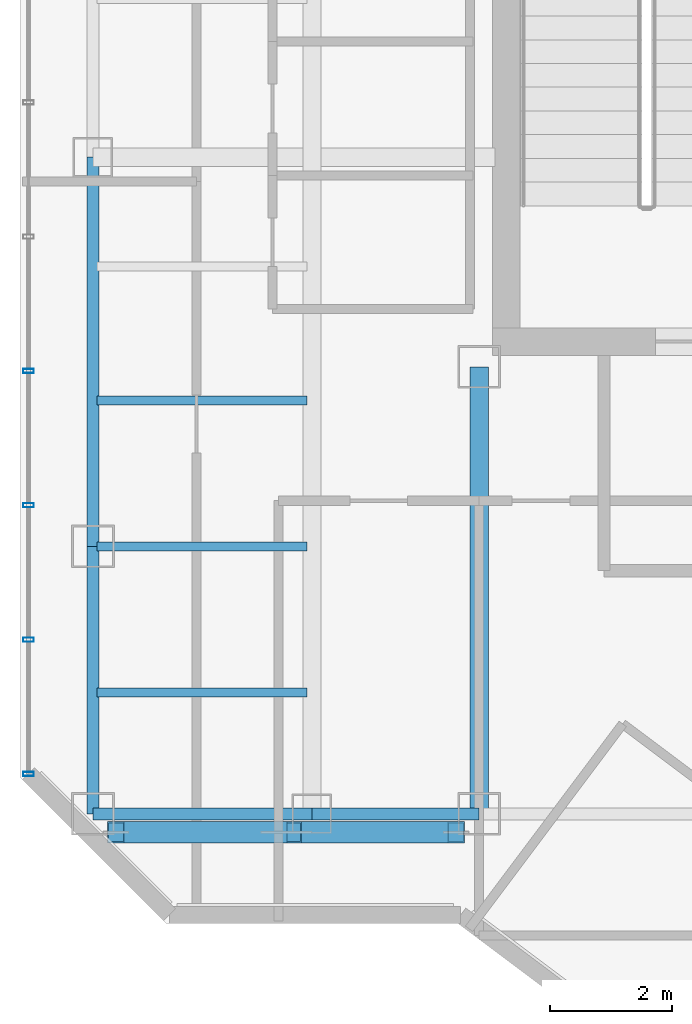
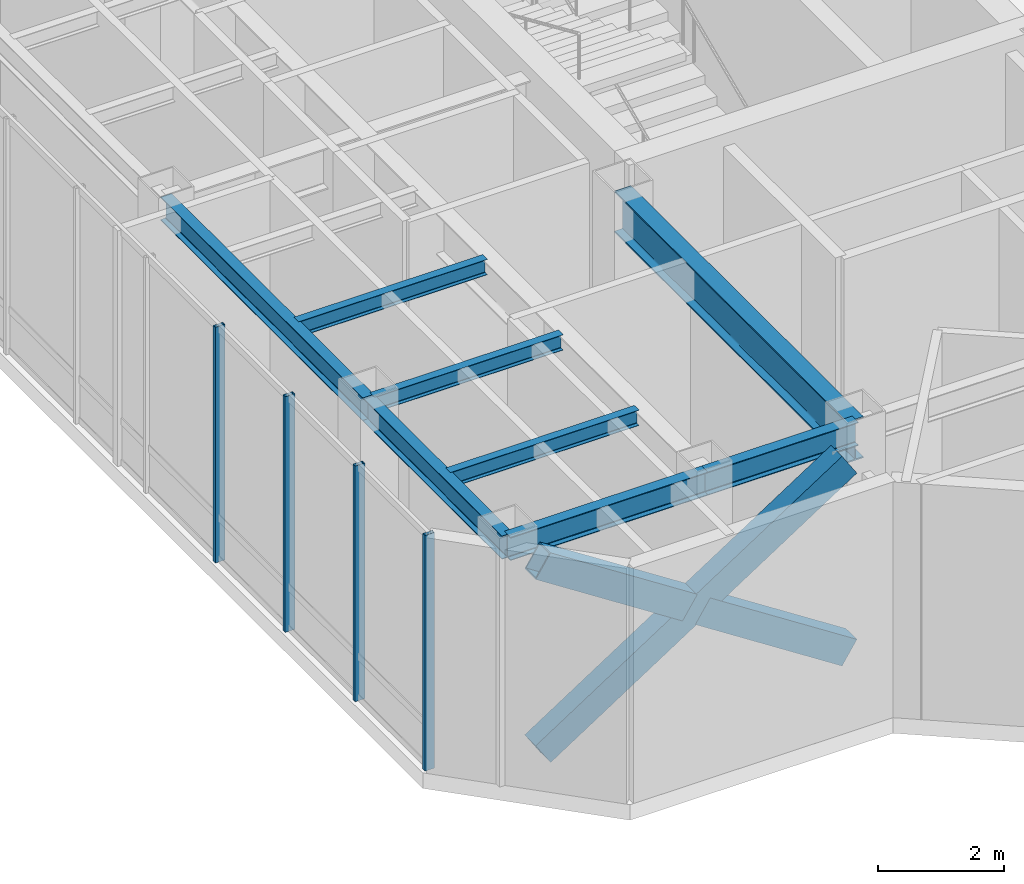
# One storey, part 2 of 21: 8 beams, 7 members, 1 element without a shape of its own.
"""IFC4 building model written with IfcOpenShell, lengths in metres."""

from ifc_helpers import new_model, si_unit, direction, frame, origin, origin_2d, place, context, subcontext, project, spatial, hollow_rectangle, i_section, extrude, material, layer, layer_set, material_profile, profile_set, type_object, element, aggregate, save


model = new_model("IFC4")

# Units and contexts
model_context = context("Model", 3, precision=1e-05, world=origin(), true_north=direction((0.0, 1.0)))
body_context = subcontext(model_context, "Body", "Model", "MODEL_VIEW")
ifc_project = project(units=[si_unit("LENGTHUNIT", "METRE"), si_unit("AREAUNIT", "SQUARE_METRE"), si_unit("VOLUMEUNIT", "CUBIC_METRE"), si_unit("PLANEANGLEUNIT", "RADIAN"), si_unit("MASSUNIT", "GRAM", prefix="KILO")], contexts=[model_context])

# Site, building, storey
site_placement = place(None, origin())
site = spatial("IfcSite", under=ifc_project, at=site_placement, CompositionType="ELEMENT")
building_placement = place(site_placement, origin())
building = spatial("IfcBuilding", under=site, at=building_placement, Name="Hatsunagi Terrace Concourse", CompositionType="ELEMENT")
storey_placement = place(building_placement, frame((0.0, 0.0, 234.75)))
storey = spatial("IfcBuildingStorey", under=building, at=storey_placement, Name="L62", CompositionType="ELEMENT", Elevation=234.75)

# Curtain wall, members
ifc_material_1 = material(Name="Anodised Aluminium Alloy 6063-T5", Category="aluminium")
ifc_layer = layer(ifc_material_1, 0.199951171875)
ifc_layer_set = layer_set([ifc_layer], Name="OfficeZone2_CW04")
curtain_wall_type = type_object("IfcCurtainWallType", Name="OfficeZone2_CW04", PredefinedType="NOTDEFINED", material=ifc_layer_set)
curtain_wall_placement = place(storey_placement, origin())
curtain_wall = element("IfcCurtainWall", 1, at=curtain_wall_placement, inside=storey, type_object=curtain_wall_type, Name="Unitised Curtain Wall CW-04 CW-L62-08", PredefinedType="NOTDEFINED")
ifc_material_2 = material(Name="Anodised Aluminium Alloy 6063-T5", Category="aluminium")
ifc_material_profile_1 = material_profile(ifc_material_2, hollow_rectangle(XDim=0.070068359375, YDim=0.179931640625, WallThickness=0.00390625, at=origin_2d()), Name="ALU-MUL-180x70x4")
ifc_profile_set_1 = profile_set([ifc_material_profile_1], Name="Anodised Aluminium Alloy 6063-T5")
member_type_1 = type_object("IfcMemberType", Name="CurtainWallMullion_180x70", PredefinedType="MULLION", material=ifc_profile_set_1)
member_1_placement = place(storey_placement, frame((18.139892578125, 25.85791015625, 0.0), z_axis=(0.0, 0.0, 1.0), x_axis=(0.0, 1.0, 0.0)))
member_1 = element("IfcMember", 2, at=member_1_placement, type_object=member_type_1, Name="Curtain Wall Mullion MUL-02", PredefinedType="MULLION", context=body_context, shape_type="SweptSolid", body=[
    extrude(hollow_rectangle(XDim=0.070068359375, YDim=0.179931640625, WallThickness=0.00390625, at=origin_2d()), origin(), (0.0, 0.0, 1.0), 4.550048828125),
])
member_2_placement = place(storey_placement, frame((18.139892578125, 28.06591796875, 0.0), z_axis=(0.0, 0.0, 1.0), x_axis=(0.0, 1.0, 0.0)))
member_2 = element("IfcMember", 3, at=member_2_placement, type_object=member_type_1, Name="Curtain Wall Mullion MUL-02", PredefinedType="MULLION", context=body_context, shape_type="SweptSolid", body=[
    extrude(hollow_rectangle(XDim=0.070068359375, YDim=0.179931640625, WallThickness=0.00390625, at=origin_2d()), origin(), (0.0, 0.0, 1.0), 4.550048828125),
])
member_3_placement = place(storey_placement, frame((18.139892578125, 30.27490234375, 0.0), z_axis=(0.0, 0.0, 1.0), x_axis=(0.0, 1.0, 0.0)))
member_3 = element("IfcMember", 4, at=member_3_placement, type_object=member_type_1, Name="Curtain Wall Mullion MUL-02", PredefinedType="MULLION", context=body_context, shape_type="SweptSolid", body=[
    extrude(hollow_rectangle(XDim=0.070068359375, YDim=0.179931640625, WallThickness=0.00390625, at=origin_2d()), origin(), (0.0, 0.0, 1.0), 4.550048828125),
])
member_4_placement = place(storey_placement, frame((18.139892578125, 32.48291015625, 0.0), z_axis=(0.0, 0.0, 1.0), x_axis=(0.0, 1.0, 0.0)))
member_4 = element("IfcMember", 5, at=member_4_placement, type_object=member_type_1, Name="Curtain Wall Mullion MUL-02", PredefinedType="MULLION", context=body_context, shape_type="SweptSolid", body=[
    extrude(hollow_rectangle(XDim=0.070068359375, YDim=0.179931640625, WallThickness=0.00390625, at=origin_2d()), origin(), (0.0, 0.0, 1.0), 4.550048828125),
])
aggregate(curtain_wall, [member_1, member_2, member_3, member_4])

# Beams
ifc_material_3 = material(Name="Steel SN490B", Category="steel")
ifc_material_profile_2 = material_profile(ifc_material_3, i_section(OverallWidth=0.14990234375, OverallDepth=0.300048828125, WebThickness=0.006591796875, FlangeThickness=0.009033203125, FilletRadius=0.010986328125, at=origin_2d()), Name="H-300x150x6.5x9")
ifc_profile_set_2 = profile_set([ifc_material_profile_2], Name="Steel SN490B")
beam_type_1 = type_object("IfcBeamType", Name="OfficeJoist_H_300x150", PredefinedType="JOIST", material=ifc_profile_set_2)
for number, where, z_axis, x_axis, name in (
    (6, (19.264892578125, 27.199951171875, 4.39990234375), (1.0, 0.0, 0.0), (0.0, 1.0, 0.0), "Beam J-03 J-L62-W-19-272"),
    (7, (19.264892578125, 29.60009765625, 4.39990234375), (1.0, 0.0, 0.0), (0.0, 1.0, 0.0), "Beam J-03 J-L62-W-19-296"),
    (8, (19.264892578125, 32.0, 4.39990234375), (1.0, 0.0, 0.0), (0.0, 1.0, 0.0), "Beam J-03 J-L62-W-19-320"),
):
    element("IfcBeam", number, at=place(storey_placement, frame(where, z_axis=z_axis, x_axis=x_axis)), inside=storey, type_object=beam_type_1, Name=name, PredefinedType="JOIST", context=body_context, shape_type="SweptSolid", body=[
        extrude(i_section(OverallWidth=0.14990234375, OverallDepth=0.300048828125, WebThickness=0.006591796875, FlangeThickness=0.009033203125, FilletRadius=0.010986328125, at=origin_2d()), origin(), (0.0, 0.0, 1.0), 3.4501953125),
    ])
ifc_material_4 = material(Name="Steel SN490B", Category="steel")
ifc_material_profile_3 = material_profile(ifc_material_4, i_section(OverallWidth=0.199951171875, OverallDepth=0.449951171875, WebThickness=0.009033203125, FlangeThickness=0.013916015625, FilletRadius=0.01611328125, at=origin_2d()), Name="H-450x200x9x14")
ifc_profile_set_3 = profile_set([ifc_material_profile_3], Name="Steel SN490B")
beam_type_2 = type_object("IfcBeamType", Name="PerimeterSpandrel_H_450x200", PredefinedType="SPANDREL", material=ifc_profile_set_3)
beam_1_placement = place(storey_placement, frame((19.199951171875, 25.199951171875, 4.324951171875), z_axis=(1.0, 0.0, 0.0), x_axis=(0.0, 1.0, 0.0)))
element("IfcBeam", 9, at=beam_1_placement, inside=storey, type_object=beam_type_2, Name="Beam SP-02 BM-L62-WS-19", PredefinedType="SPANDREL", context=body_context, shape_type="SweptSolid", body=[
    extrude(i_section(OverallWidth=0.199951171875, OverallDepth=0.449951171875, WebThickness=0.009033203125, FlangeThickness=0.013916015625, FilletRadius=0.01611328125, at=origin_2d()), origin(), (0.0, 0.0, 1.0), 3.60009765625),
])
beam_2_placement = place(storey_placement, frame((22.800048828125, 25.199951171875, 4.324951171875), z_axis=(1.0, 0.0, 0.0), x_axis=(0.0, 1.0, 0.0)))
element("IfcBeam", 10, at=beam_2_placement, inside=storey, type_object=beam_type_2, Name="Beam SP-02 BM-L62-WS-22", PredefinedType="SPANDREL", context=body_context, shape_type="SweptSolid", body=[
    extrude(i_section(OverallWidth=0.199951171875, OverallDepth=0.449951171875, WebThickness=0.009033203125, FlangeThickness=0.013916015625, FilletRadius=0.01611328125, at=origin_2d()), origin(), (0.0, 0.0, 1.0), 2.75),
])
beam_3_placement = place(storey_placement, frame((19.199951171875, 25.199951171875, 4.324951171875), z_axis=(0.0, 1.0, 0.0), x_axis=(-1.0, 0.0, 0.0)))
element("IfcBeam", 11, at=beam_3_placement, inside=storey, type_object=beam_type_2, Name="Beam SP-02 BM-L62-NS-19-25", PredefinedType="SPANDREL", context=body_context, shape_type="SweptSolid", body=[
    extrude(i_section(OverallWidth=0.199951171875, OverallDepth=0.449951171875, WebThickness=0.009033203125, FlangeThickness=0.013916015625, FilletRadius=0.01611328125, at=origin_2d()), origin(), (0.0, 0.0, 1.0), 4.400146484375),
])
beam_4_placement = place(storey_placement, frame((19.199951171875, 29.60009765625, 4.324951171875), z_axis=(0.0, 1.0, 0.0), x_axis=(-1.0, 0.0, 0.0)))
element("IfcBeam", 12, at=beam_4_placement, inside=storey, type_object=beam_type_2, Name="Beam SP-02 BM-L62-NS-19-29", PredefinedType="SPANDREL", context=body_context, shape_type="SweptSolid", body=[
    extrude(i_section(OverallWidth=0.199951171875, OverallDepth=0.449951171875, WebThickness=0.009033203125, FlangeThickness=0.013916015625, FilletRadius=0.01611328125, at=origin_2d()), origin(), (0.0, 0.0, 1.0), 6.39990234375),
])

# Members
ifc_material_5 = material(Name="Steel SN490B", Category="steel")
ifc_material_profile_4 = material_profile(ifc_material_5, hollow_rectangle(XDim=0.35009765625, YDim=0.5, WallThickness=0.02197265625, at=origin_2d()), Name="RHS-500x350x22")
ifc_profile_set_4 = profile_set([ifc_material_profile_4], Name="Steel SN490B")
member_type_2 = type_object("IfcMemberType", Name="PerimeterXBrace_Upper_RHS_500x350x22", PredefinedType="BRACE", material=ifc_profile_set_4)
member_5_placement = place(storey_placement, frame((19.577880859375, 24.89990234375, 0.4599609375), z_axis=(0.838863247338, 0.0, 0.544342219808), x_axis=(0.0, 1.0, 0.0)))
element("IfcMember", 13, at=member_5_placement, inside=storey, type_object=member_type_2, Name="Primary Continuous Brace XB-03 BTR-L62-1A", PredefinedType="BRACE", context=body_context, shape_type="SweptSolid", body=[
    extrude(hollow_rectangle(XDim=0.35009765625, YDim=0.5, WallThickness=0.02197265625, at=origin_2d()), origin(), (0.0, 0.0, 1.0), 6.6689453125),
])
for number, where, z_axis, x_axis, name in (
    (14, (19.577880859375, 24.89990234375, 4.090087890625), (0.838886789017, 0.0, -0.544305938984), (0.0, 1.0, 0.0), "Split Secondary Brace Upper XB-03 BTR-L62-1B1"),
    (15, (22.491943359375, 24.89990234375, 2.198974609375), (0.838886789017, 0.0, -0.544305938984), (0.0, 1.0, 0.0), "Split Secondary Brace Lower XB-03 BTR-L62-1B2"),
):
    element("IfcMember", number, at=place(storey_placement, frame(where, z_axis=z_axis, x_axis=x_axis)), inside=storey, type_object=member_type_2, Name=name, PredefinedType="BRACE", context=body_context, shape_type="SweptSolid", body=[
        extrude(hollow_rectangle(XDim=0.35009765625, YDim=0.5, WallThickness=0.02197265625, at=origin_2d()), origin(), (0.0, 0.0, 1.0), 3.19482421875),
    ])

# Beam
ifc_material_6 = material(Name="Steel SN490B", Category="steel")
ifc_material_profile_5 = material_profile(ifc_material_6, i_section(OverallWidth=0.300048828125, OverallDepth=0.800048828125, WebThickness=0.013916015625, FlangeThickness=0.02587890625, FilletRadius=0.02197265625, at=origin_2d()), Name="H-800x300x14x26")
ifc_profile_set_5 = profile_set([ifc_material_profile_5], Name="Steel SN490B")
beam_type_3 = type_object("IfcBeamType", Name="SkyLobbyGirder_H_800x300", PredefinedType="BEAM", material=ifc_profile_set_5)
beam_5_placement = place(storey_placement, frame((25.550048828125, 25.199951171875, 4.14990234375), z_axis=(0.0, 1.0, 0.0), x_axis=(-1.0, 0.0, 0.0)))
element("IfcBeam", 16, at=beam_5_placement, inside=storey, type_object=beam_type_3, Name="Beam G-03 BM-L62-K1CA", PredefinedType="BEAM", context=body_context, shape_type="SweptSolid", body=[
    extrude(i_section(OverallWidth=0.300048828125, OverallDepth=0.800048828125, WebThickness=0.013916015625, FlangeThickness=0.02587890625, FilletRadius=0.02197265625, at=origin_2d()), origin(), (0.0, 0.0, 1.0), 7.35009765625),
])

save(model, "model.ifc")
